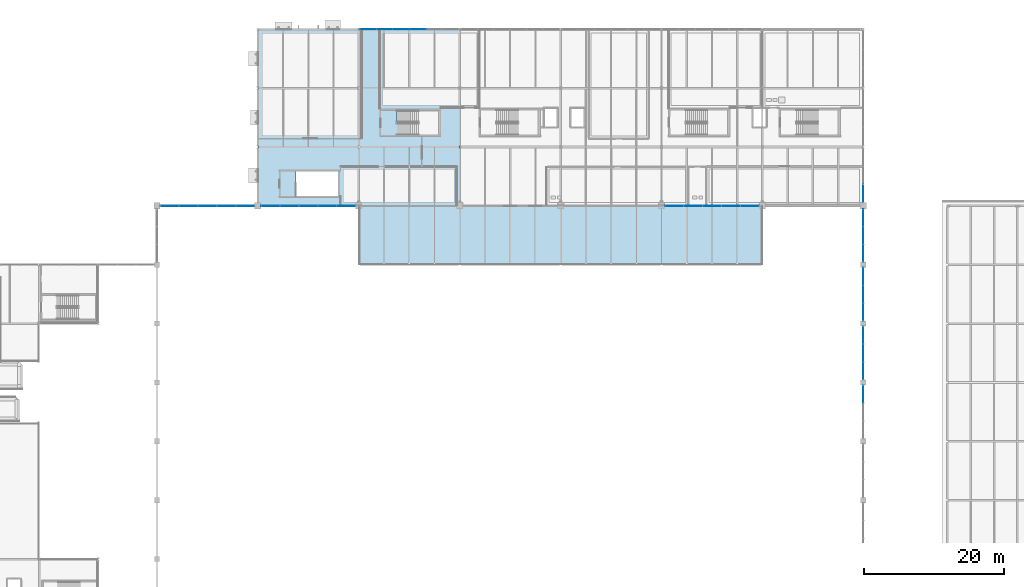
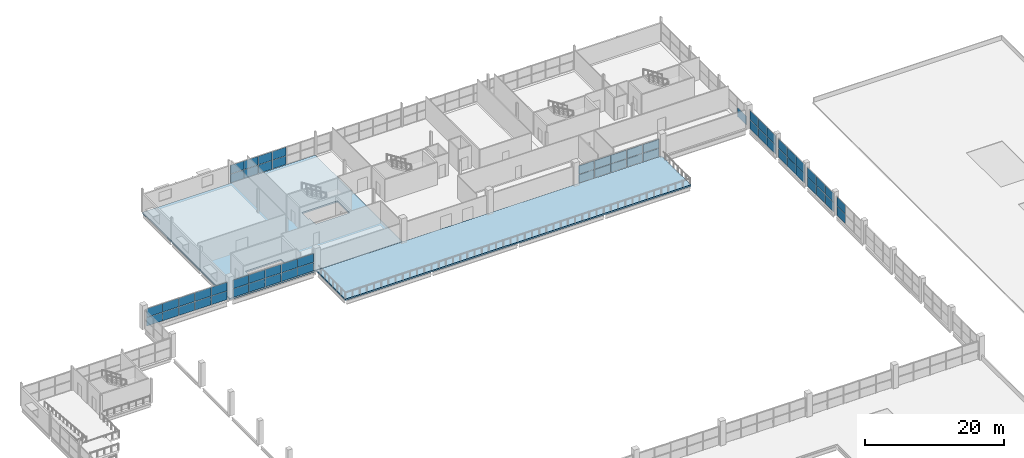
# One storey, part 72 of 93: 59 plates, 2 slabs, 9 elements without a shape of their own.
"""IFC4 building model written with IfcOpenShell, lengths in metres."""

from ifc_helpers import new_model, si_unit, direction, frame, origin, origin_2d, place, context, subcontext, project, spatial, polyline, rectangle, outline, extrude, material, layer, layer_set, type_object, element, aggregate, save


model = new_model("IFC4")

# Units and contexts
model_context = context("Model", 3, precision=1e-05, world=origin(), true_north=direction((0.0, 1.0)))
body_context = subcontext(model_context, "Body", "Model", "MODEL_VIEW")
ifc_project = project(units=[si_unit("LENGTHUNIT", "METRE"), si_unit("AREAUNIT", "SQUARE_METRE"), si_unit("VOLUMEUNIT", "CUBIC_METRE"), si_unit("PLANEANGLEUNIT", "RADIAN"), si_unit("MASSUNIT", "GRAM", prefix="KILO"), si_unit("THERMODYNAMICTEMPERATUREUNIT", "KELVIN")], contexts=[model_context])

# Site, building, storey
site_placement = place(None, origin())
site = spatial("IfcSite", under=ifc_project, at=site_placement, CompositionType="ELEMENT")
building_placement = place(site_placement, origin())
building = spatial("IfcBuilding", under=site, at=building_placement, Name="Nduvali Passage Aquatics Centre", CompositionType="ELEMENT")
storey_placement = place(building_placement, frame((0.0, 0.0, 9.0)))
storey = spatial("IfcBuildingStorey", under=building, at=storey_placement, Name="L02", CompositionType="ELEMENT", Elevation=9.0)

# Curtain wall, plates
ifc_material_1 = material(Name="Aluminium EN AW-6063 T6", Category="aluminium")
curtain_wall_type_1 = type_object("IfcCurtainWallType", Name="ENV-CW-WELL", PredefinedType="NOTDEFINED", material=ifc_material_1)
curtain_wall_1_placement = place(storey_placement, origin())
curtain_wall_1 = element("IfcCurtainWall", 1, at=curtain_wall_1_placement, inside=storey, type_object=curtain_wall_type_1, Name="L02 North Avenue Clinic CW 101", PredefinedType="NOTDEFINED")
ifc_material_2 = material(Name="Laminated solar-control low-E IGU")
ifc_layer_1 = layer(ifc_material_2, 0.028076171875, Name="Laminated solar-control low-E IGU")
ifc_layer_set_1 = layer_set([ifc_layer_1], Name="Laminated solar-control low-E IGU")
plate_type_1 = type_object("IfcPlateType", Name="ENV-PLT-GLZ28", PredefinedType="CURTAIN_PANEL", material=ifc_layer_set_1)
plate_1_placement = place(storey_placement, frame((55.340087890625, 117.60009765625, 0.059814453125), z_axis=(0.0, 0.0, 1.0), x_axis=(1.0, 0.0, 0.0)))
plate_1 = element("IfcPlate", 2, at=plate_1_placement, type_object=plate_type_1, Name="North Avenue Clinic CW Glazed Panel B1-R1", PredefinedType="CURTAIN_PANEL", context=body_context, shape_type="SweptSolid", body=[
    extrude(rectangle(XDim=2.260009765625, YDim=0.028076171875, at=origin_2d()), origin(), (0.0, 0.0, 1.0), 1.501953125),
])
plate_2_placement = place(storey_placement, frame((55.340087890625, 117.60009765625, 1.621826171875), z_axis=(0.0, 0.0, 1.0), x_axis=(1.0, 0.0, 0.0)))
plate_2 = element("IfcPlate", 3, at=plate_2_placement, type_object=plate_type_1, Name="North Avenue Clinic CW Glazed Panel B1-R2", PredefinedType="CURTAIN_PANEL", context=body_context, shape_type="SweptSolid", body=[
    extrude(rectangle(XDim=2.260009765625, YDim=0.028076171875, at=origin_2d()), origin(), (0.0, 0.0, 1.0), 1.501953125),
])
plate_3_placement = place(storey_placement, frame((57.675048828125, 117.60009765625, 0.059814453125), z_axis=(0.0, 0.0, 1.0), x_axis=(1.0, 0.0, 0.0)))
plate_3 = element("IfcPlate", 4, at=plate_3_placement, type_object=plate_type_1, Name="North Avenue Clinic CW Glazed Panel B2-R1", PredefinedType="CURTAIN_PANEL", context=body_context, shape_type="SweptSolid", body=[
    extrude(rectangle(XDim=2.2900390625, YDim=0.028076171875, at=origin_2d()), origin(), (0.0, 0.0, 1.0), 1.501953125),
])
plate_4_placement = place(storey_placement, frame((57.675048828125, 117.60009765625, 1.621826171875), z_axis=(0.0, 0.0, 1.0), x_axis=(1.0, 0.0, 0.0)))
plate_4 = element("IfcPlate", 5, at=plate_4_placement, type_object=plate_type_1, Name="North Avenue Clinic CW Glazed Panel B2-R2", PredefinedType="CURTAIN_PANEL", context=body_context, shape_type="SweptSolid", body=[
    extrude(rectangle(XDim=2.2900390625, YDim=0.028076171875, at=origin_2d()), origin(), (0.0, 0.0, 1.0), 1.501953125),
])
plate_5_placement = place(storey_placement, frame((60.02490234375, 117.60009765625, 0.059814453125), z_axis=(0.0, 0.0, 1.0), x_axis=(1.0, 0.0, 0.0)))
plate_5 = element("IfcPlate", 6, at=plate_5_placement, type_object=plate_type_1, Name="North Avenue Clinic CW Glazed Panel B3-R1", PredefinedType="CURTAIN_PANEL", context=body_context, shape_type="SweptSolid", body=[
    extrude(rectangle(XDim=2.2900390625, YDim=0.028076171875, at=origin_2d()), origin(), (0.0, 0.0, 1.0), 1.501953125),
])
plate_6_placement = place(storey_placement, frame((60.02490234375, 117.60009765625, 1.621826171875), z_axis=(0.0, 0.0, 1.0), x_axis=(1.0, 0.0, 0.0)))
plate_6 = element("IfcPlate", 7, at=plate_6_placement, type_object=plate_type_1, Name="North Avenue Clinic CW Glazed Panel B3-R2", PredefinedType="CURTAIN_PANEL", context=body_context, shape_type="SweptSolid", body=[
    extrude(rectangle(XDim=2.2900390625, YDim=0.028076171875, at=origin_2d()), origin(), (0.0, 0.0, 1.0), 1.501953125),
])
plate_7_placement = place(storey_placement, frame((62.375, 117.60009765625, 0.059814453125), z_axis=(0.0, 0.0, 1.0), x_axis=(1.0, 0.0, 0.0)))
plate_7 = element("IfcPlate", 8, at=plate_7_placement, type_object=plate_type_1, Name="North Avenue Clinic CW Glazed Panel B4-R1", PredefinedType="CURTAIN_PANEL", context=body_context, shape_type="SweptSolid", body=[
    extrude(rectangle(XDim=2.2900390625, YDim=0.028076171875, at=origin_2d()), origin(), (0.0, 0.0, 1.0), 1.501953125),
])
plate_8_placement = place(storey_placement, frame((62.375, 117.60009765625, 1.621826171875), z_axis=(0.0, 0.0, 1.0), x_axis=(1.0, 0.0, 0.0)))
plate_8 = element("IfcPlate", 9, at=plate_8_placement, type_object=plate_type_1, Name="North Avenue Clinic CW Glazed Panel B4-R2", PredefinedType="CURTAIN_PANEL", context=body_context, shape_type="SweptSolid", body=[
    extrude(rectangle(XDim=2.2900390625, YDim=0.028076171875, at=origin_2d()), origin(), (0.0, 0.0, 1.0), 1.501953125),
])
aggregate(curtain_wall_1, [plate_1, plate_2, plate_3, plate_4, plate_5, plate_6, plate_7, plate_8])

# Curtain wall, plate
curtain_wall_type_2 = type_object("IfcCurtainWallType", Name="ENV-CW-PASS", PredefinedType="NOTDEFINED", material=ifc_material_1)
curtain_wall_2_placement = place(storey_placement, origin())
curtain_wall_2 = element("IfcCurtainWall", 10, at=curtain_wall_2_placement, inside=storey, type_object=curtain_wall_type_2, Name="L02 East Passage Studio CW 118", PredefinedType="NOTDEFINED")
plate_9_placement = place(storey_placement, frame((126.0, 94.160888671875, 0.06005859375), z_axis=(0.0, 0.0, 1.0), x_axis=(0.0, 1.0, 0.0)))
plate_9 = element("IfcPlate", 11, at=plate_9_placement, type_object=plate_type_1, Name="East Passage Studio CW Glazed Panel B1-R1", PredefinedType="CURTAIN_PANEL", context=body_context, shape_type="SweptSolid", body=[
    extrude(rectangle(XDim=2.501708984375, YDim=0.028076171875, at=origin_2d()), origin(), (0.0, 0.0, 1.0), 1.61328125),
])
aggregate(curtain_wall_2, [plate_9])

# Curtain wall, plates
curtain_wall_type_3 = type_object("IfcCurtainWallType", Name="ENV-CW-CLER", PredefinedType="NOTDEFINED", material=ifc_material_1)
curtain_wall_3_placement = place(storey_placement, origin())
curtain_wall_3 = element("IfcCurtainWall", 12, at=curtain_wall_3_placement, inside=storey, type_object=curtain_wall_type_3, Name="L02 East Passage Pool Hall Mid Clerestory 031", PredefinedType="NOTDEFINED")
ifc_layer_2 = layer(ifc_material_2, 0.031982421875, Name="Laminated solar-control low-E IGU")
ifc_layer_set_2 = layer_set([ifc_layer_2], Name="Laminated solar-control low-E IGU")
plate_type_2 = type_object("IfcPlateType", Name="ENV-PLT-GLZ32", PredefinedType="CURTAIN_PANEL", material=ifc_layer_set_2)
plate_10_placement = place(storey_placement, frame((126.0, 65.534912109375, 0.06005859375), z_axis=(0.0, 0.0, 1.0), x_axis=(0.0, 1.0, 0.0)))
plate_10 = element("IfcPlate", 13, at=plate_10_placement, type_object=plate_type_2, Name="East Passage Pool Hall Mid Clerestory Glazed Panel B3-R1", PredefinedType="CURTAIN_PANEL", context=body_context, shape_type="SweptSolid", body=[
    extrude(rectangle(XDim=2.4599609375, YDim=0.031982421875, at=origin_2d()), origin(), (0.0, 0.0, 1.0), 1.61328125),
])
plate_11_placement = place(storey_placement, frame((126.0, 65.534912109375, 1.733154296875), z_axis=(0.0, 0.0, 1.0), x_axis=(0.0, 1.0, 0.0)))
plate_11 = element("IfcPlate", 14, at=plate_11_placement, type_object=plate_type_2, Name="East Passage Pool Hall Mid Clerestory Glazed Panel B3-R2", PredefinedType="CURTAIN_PANEL", context=body_context, shape_type="SweptSolid", body=[
    extrude(rectangle(XDim=2.4599609375, YDim=0.031982421875, at=origin_2d()), origin(), (0.0, 0.0, 1.0), 1.61328125),
])
aggregate(curtain_wall_3, [plate_10, plate_11])

curtain_wall_4_placement = place(storey_placement, origin())
curtain_wall_4 = element("IfcCurtainWall", 15, at=curtain_wall_4_placement, inside=storey, type_object=curtain_wall_type_3, Name="L02 East Passage Pool Hall Mid Clerestory 035", PredefinedType="NOTDEFINED")
plate_12_placement = place(storey_placement, frame((126.0, 68.864990234375, 0.06005859375), z_axis=(0.0, 0.0, 1.0), x_axis=(0.0, 1.0, 0.0)))
plate_12 = element("IfcPlate", 16, at=plate_12_placement, type_object=plate_type_2, Name="East Passage Pool Hall Mid Clerestory Glazed Panel B1-R1", PredefinedType="CURTAIN_PANEL", context=body_context, shape_type="SweptSolid", body=[
    extrude(rectangle(XDim=2.4599609375, YDim=0.031982421875, at=origin_2d()), origin(), (0.0, 0.0, 1.0), 1.61328125),
])
plate_13_placement = place(storey_placement, frame((126.0, 68.864990234375, 1.733154296875), z_axis=(0.0, 0.0, 1.0), x_axis=(0.0, 1.0, 0.0)))
plate_13 = element("IfcPlate", 17, at=plate_13_placement, type_object=plate_type_2, Name="East Passage Pool Hall Mid Clerestory Glazed Panel B1-R2", PredefinedType="CURTAIN_PANEL", context=body_context, shape_type="SweptSolid", body=[
    extrude(rectangle(XDim=2.4599609375, YDim=0.031982421875, at=origin_2d()), origin(), (0.0, 0.0, 1.0), 1.61328125),
])
plate_14_placement = place(storey_placement, frame((126.0, 71.39990234375, 0.06005859375), z_axis=(0.0, 0.0, 1.0), x_axis=(0.0, 1.0, 0.0)))
plate_14 = element("IfcPlate", 18, at=plate_14_placement, type_object=plate_type_2, Name="East Passage Pool Hall Mid Clerestory Glazed Panel B2-R1", PredefinedType="CURTAIN_PANEL", context=body_context, shape_type="SweptSolid", body=[
    extrude(rectangle(XDim=2.489990234375, YDim=0.031982421875, at=origin_2d()), origin(), (0.0, 0.0, 1.0), 1.61328125),
])
plate_15_placement = place(storey_placement, frame((126.0, 71.39990234375, 1.733154296875), z_axis=(0.0, 0.0, 1.0), x_axis=(0.0, 1.0, 0.0)))
plate_15 = element("IfcPlate", 19, at=plate_15_placement, type_object=plate_type_2, Name="East Passage Pool Hall Mid Clerestory Glazed Panel B2-R2", PredefinedType="CURTAIN_PANEL", context=body_context, shape_type="SweptSolid", body=[
    extrude(rectangle(XDim=2.489990234375, YDim=0.031982421875, at=origin_2d()), origin(), (0.0, 0.0, 1.0), 1.61328125),
])
plate_16_placement = place(storey_placement, frame((126.0, 73.93505859375, 0.06005859375), z_axis=(0.0, 0.0, 1.0), x_axis=(0.0, 1.0, 0.0)))
plate_16 = element("IfcPlate", 20, at=plate_16_placement, type_object=plate_type_2, Name="East Passage Pool Hall Mid Clerestory Glazed Panel B3-R1", PredefinedType="CURTAIN_PANEL", context=body_context, shape_type="SweptSolid", body=[
    extrude(rectangle(XDim=2.4599609375, YDim=0.031982421875, at=origin_2d()), origin(), (0.0, 0.0, 1.0), 1.61328125),
])
plate_17_placement = place(storey_placement, frame((126.0, 73.93505859375, 1.733154296875), z_axis=(0.0, 0.0, 1.0), x_axis=(0.0, 1.0, 0.0)))
plate_17 = element("IfcPlate", 21, at=plate_17_placement, type_object=plate_type_2, Name="East Passage Pool Hall Mid Clerestory Glazed Panel B3-R2", PredefinedType="CURTAIN_PANEL", context=body_context, shape_type="SweptSolid", body=[
    extrude(rectangle(XDim=2.4599609375, YDim=0.031982421875, at=origin_2d()), origin(), (0.0, 0.0, 1.0), 1.61328125),
])
aggregate(curtain_wall_4, [plate_12, plate_13, plate_14, plate_15, plate_16, plate_17])

curtain_wall_5_placement = place(storey_placement, origin())
curtain_wall_5 = element("IfcCurtainWall", 22, at=curtain_wall_5_placement, inside=storey, type_object=curtain_wall_type_3, Name="L02 East Passage Pool Hall Mid Clerestory 039", PredefinedType="NOTDEFINED")
plate_18_placement = place(storey_placement, frame((126.0, 77.264892578125, 0.06005859375), z_axis=(0.0, 0.0, 1.0), x_axis=(0.0, 1.0, 0.0)))
plate_18 = element("IfcPlate", 23, at=plate_18_placement, type_object=plate_type_2, Name="East Passage Pool Hall Mid Clerestory Glazed Panel B1-R1", PredefinedType="CURTAIN_PANEL", context=body_context, shape_type="SweptSolid", body=[
    extrude(rectangle(XDim=2.4599609375, YDim=0.031982421875, at=origin_2d()), origin(), (0.0, 0.0, 1.0), 1.61328125),
])
plate_19_placement = place(storey_placement, frame((126.0, 77.264892578125, 1.733154296875), z_axis=(0.0, 0.0, 1.0), x_axis=(0.0, 1.0, 0.0)))
plate_19 = element("IfcPlate", 24, at=plate_19_placement, type_object=plate_type_2, Name="East Passage Pool Hall Mid Clerestory Glazed Panel B1-R2", PredefinedType="CURTAIN_PANEL", context=body_context, shape_type="SweptSolid", body=[
    extrude(rectangle(XDim=2.4599609375, YDim=0.031982421875, at=origin_2d()), origin(), (0.0, 0.0, 1.0), 1.61328125),
])
plate_20_placement = place(storey_placement, frame((126.0, 79.800048828125, 0.06005859375), z_axis=(0.0, 0.0, 1.0), x_axis=(0.0, 1.0, 0.0)))
plate_20 = element("IfcPlate", 25, at=plate_20_placement, type_object=plate_type_2, Name="East Passage Pool Hall Mid Clerestory Glazed Panel B2-R1", PredefinedType="CURTAIN_PANEL", context=body_context, shape_type="SweptSolid", body=[
    extrude(rectangle(XDim=2.489990234375, YDim=0.031982421875, at=origin_2d()), origin(), (0.0, 0.0, 1.0), 1.61328125),
])
plate_21_placement = place(storey_placement, frame((126.0, 79.800048828125, 1.733154296875), z_axis=(0.0, 0.0, 1.0), x_axis=(0.0, 1.0, 0.0)))
plate_21 = element("IfcPlate", 26, at=plate_21_placement, type_object=plate_type_2, Name="East Passage Pool Hall Mid Clerestory Glazed Panel B2-R2", PredefinedType="CURTAIN_PANEL", context=body_context, shape_type="SweptSolid", body=[
    extrude(rectangle(XDim=2.489990234375, YDim=0.031982421875, at=origin_2d()), origin(), (0.0, 0.0, 1.0), 1.61328125),
])
plate_22_placement = place(storey_placement, frame((126.0, 82.3349609375, 0.06005859375), z_axis=(0.0, 0.0, 1.0), x_axis=(0.0, 1.0, 0.0)))
plate_22 = element("IfcPlate", 27, at=plate_22_placement, type_object=plate_type_2, Name="East Passage Pool Hall Mid Clerestory Glazed Panel B3-R1", PredefinedType="CURTAIN_PANEL", context=body_context, shape_type="SweptSolid", body=[
    extrude(rectangle(XDim=2.4599609375, YDim=0.031982421875, at=origin_2d()), origin(), (0.0, 0.0, 1.0), 1.61328125),
])
plate_23_placement = place(storey_placement, frame((126.0, 82.3349609375, 1.733154296875), z_axis=(0.0, 0.0, 1.0), x_axis=(0.0, 1.0, 0.0)))
plate_23 = element("IfcPlate", 28, at=plate_23_placement, type_object=plate_type_2, Name="East Passage Pool Hall Mid Clerestory Glazed Panel B3-R2", PredefinedType="CURTAIN_PANEL", context=body_context, shape_type="SweptSolid", body=[
    extrude(rectangle(XDim=2.4599609375, YDim=0.031982421875, at=origin_2d()), origin(), (0.0, 0.0, 1.0), 1.61328125),
])
aggregate(curtain_wall_5, [plate_18, plate_19, plate_20, plate_21, plate_22, plate_23])

curtain_wall_6_placement = place(storey_placement, origin())
curtain_wall_6 = element("IfcCurtainWall", 29, at=curtain_wall_6_placement, inside=storey, type_object=curtain_wall_type_3, Name="L02 East Passage Pool Hall Mid Clerestory 042", PredefinedType="NOTDEFINED")
plate_24_placement = place(storey_placement, frame((126.0, 85.652587890625, 0.06005859375), z_axis=(0.0, 0.0, 1.0), x_axis=(0.0, 1.0, 0.0)))
plate_24 = element("IfcPlate", 30, at=plate_24_placement, type_object=plate_type_2, Name="East Passage Pool Hall Mid Clerestory Glazed Panel B1-R1", PredefinedType="CURTAIN_PANEL", context=body_context, shape_type="SweptSolid", body=[
    extrude(rectangle(XDim=2.43505859375, YDim=0.031982421875, at=origin_2d()), origin(), (0.0, 0.0, 1.0), 1.61328125),
])
plate_25_placement = place(storey_placement, frame((126.0, 85.652587890625, 1.733154296875), z_axis=(0.0, 0.0, 1.0), x_axis=(0.0, 1.0, 0.0)))
plate_25 = element("IfcPlate", 31, at=plate_25_placement, type_object=plate_type_2, Name="East Passage Pool Hall Mid Clerestory Glazed Panel B1-R2", PredefinedType="CURTAIN_PANEL", context=body_context, shape_type="SweptSolid", body=[
    extrude(rectangle(XDim=2.43505859375, YDim=0.031982421875, at=origin_2d()), origin(), (0.0, 0.0, 1.0), 1.61328125),
])
plate_26_placement = place(storey_placement, frame((126.0, 88.16259765625, 0.06005859375), z_axis=(0.0, 0.0, 1.0), x_axis=(0.0, 1.0, 0.0)))
plate_26 = element("IfcPlate", 32, at=plate_26_placement, type_object=plate_type_2, Name="East Passage Pool Hall Mid Clerestory Glazed Panel B2-R1", PredefinedType="CURTAIN_PANEL", context=body_context, shape_type="SweptSolid", body=[
    extrude(rectangle(XDim=2.465087890625, YDim=0.031982421875, at=origin_2d()), origin(), (0.0, 0.0, 1.0), 1.61328125),
])
plate_27_placement = place(storey_placement, frame((126.0, 88.16259765625, 1.733154296875), z_axis=(0.0, 0.0, 1.0), x_axis=(0.0, 1.0, 0.0)))
plate_27 = element("IfcPlate", 33, at=plate_27_placement, type_object=plate_type_2, Name="East Passage Pool Hall Mid Clerestory Glazed Panel B2-R2", PredefinedType="CURTAIN_PANEL", context=body_context, shape_type="SweptSolid", body=[
    extrude(rectangle(XDim=2.465087890625, YDim=0.031982421875, at=origin_2d()), origin(), (0.0, 0.0, 1.0), 1.61328125),
])
plate_28_placement = place(storey_placement, frame((126.0, 90.672607421875, 0.06005859375), z_axis=(0.0, 0.0, 1.0), x_axis=(0.0, 1.0, 0.0)))
plate_28 = element("IfcPlate", 34, at=plate_28_placement, type_object=plate_type_2, Name="East Passage Pool Hall Mid Clerestory Glazed Panel B3-R1", PredefinedType="CURTAIN_PANEL", context=body_context, shape_type="SweptSolid", body=[
    extrude(rectangle(XDim=2.43505859375, YDim=0.031982421875, at=origin_2d()), origin(), (0.0, 0.0, 1.0), 1.61328125),
])
plate_29_placement = place(storey_placement, frame((126.0, 90.672607421875, 1.733154296875), z_axis=(0.0, 0.0, 1.0), x_axis=(0.0, 1.0, 0.0)))
plate_29 = element("IfcPlate", 35, at=plate_29_placement, type_object=plate_type_2, Name="East Passage Pool Hall Mid Clerestory Glazed Panel B3-R2", PredefinedType="CURTAIN_PANEL", context=body_context, shape_type="SweptSolid", body=[
    extrude(rectangle(XDim=2.43505859375, YDim=0.031982421875, at=origin_2d()), origin(), (0.0, 0.0, 1.0), 1.61328125),
])
aggregate(curtain_wall_6, [plate_24, plate_25, plate_26, plate_27, plate_28, plate_29])

curtain_wall_7_placement = place(storey_placement, origin())
curtain_wall_7 = element("IfcCurtainWall", 36, at=curtain_wall_7_placement, inside=storey, type_object=curtain_wall_type_3, Name="L02 North Pool Hall Corner Clerestory 055", PredefinedType="NOTDEFINED")
plate_30_placement = place(storey_placement, frame((27.014892578125, 92.39990234375, 0.059814453125), z_axis=(0.0, 0.0, 1.0), x_axis=(1.0, 0.0, 0.0)))
plate_30 = element("IfcPlate", 37, at=plate_30_placement, type_object=plate_type_2, Name="North Pool Hall Corner Clerestory Glazed Panel B1-R1", PredefinedType="CURTAIN_PANEL", context=body_context, shape_type="SweptSolid", body=[
    extrude(rectangle(XDim=2.610107421875, YDim=0.031982421875, at=origin_2d()), origin(), (0.0, 0.0, 1.0), 1.501953125),
])
plate_31_placement = place(storey_placement, frame((27.014892578125, 92.39990234375, 1.621826171875), z_axis=(0.0, 0.0, 1.0), x_axis=(1.0, 0.0, 0.0)))
plate_31 = element("IfcPlate", 38, at=plate_31_placement, type_object=plate_type_2, Name="North Pool Hall Corner Clerestory Glazed Panel B1-R2", PredefinedType="CURTAIN_PANEL", context=body_context, shape_type="SweptSolid", body=[
    extrude(rectangle(XDim=2.610107421875, YDim=0.031982421875, at=origin_2d()), origin(), (0.0, 0.0, 1.0), 1.501953125),
])
plate_32_placement = place(storey_placement, frame((29.699951171875, 92.39990234375, 0.059814453125), z_axis=(0.0, 0.0, 1.0), x_axis=(1.0, 0.0, 0.0)))
plate_32 = element("IfcPlate", 39, at=plate_32_placement, type_object=plate_type_2, Name="North Pool Hall Corner Clerestory Glazed Panel B2-R1", PredefinedType="CURTAIN_PANEL", context=body_context, shape_type="SweptSolid", body=[
    extrude(rectangle(XDim=2.639892578125, YDim=0.031982421875, at=origin_2d()), origin(), (0.0, 0.0, 1.0), 1.501953125),
])
plate_33_placement = place(storey_placement, frame((29.699951171875, 92.39990234375, 1.621826171875), z_axis=(0.0, 0.0, 1.0), x_axis=(1.0, 0.0, 0.0)))
plate_33 = element("IfcPlate", 40, at=plate_33_placement, type_object=plate_type_2, Name="North Pool Hall Corner Clerestory Glazed Panel B2-R2", PredefinedType="CURTAIN_PANEL", context=body_context, shape_type="SweptSolid", body=[
    extrude(rectangle(XDim=2.639892578125, YDim=0.031982421875, at=origin_2d()), origin(), (0.0, 0.0, 1.0), 1.501953125),
])
plate_34_placement = place(storey_placement, frame((32.39990234375, 92.39990234375, 0.059814453125), z_axis=(0.0, 0.0, 1.0), x_axis=(1.0, 0.0, 0.0)))
plate_34 = element("IfcPlate", 41, at=plate_34_placement, type_object=plate_type_2, Name="North Pool Hall Corner Clerestory Glazed Panel B3-R1", PredefinedType="CURTAIN_PANEL", context=body_context, shape_type="SweptSolid", body=[
    extrude(rectangle(XDim=2.639892578125, YDim=0.031982421875, at=origin_2d()), origin(), (0.0, 0.0, 1.0), 1.501953125),
])
plate_35_placement = place(storey_placement, frame((32.39990234375, 92.39990234375, 1.621826171875), z_axis=(0.0, 0.0, 1.0), x_axis=(1.0, 0.0, 0.0)))
plate_35 = element("IfcPlate", 42, at=plate_35_placement, type_object=plate_type_2, Name="North Pool Hall Corner Clerestory Glazed Panel B3-R2", PredefinedType="CURTAIN_PANEL", context=body_context, shape_type="SweptSolid", body=[
    extrude(rectangle(XDim=2.639892578125, YDim=0.031982421875, at=origin_2d()), origin(), (0.0, 0.0, 1.0), 1.501953125),
])
plate_36_placement = place(storey_placement, frame((35.10009765625, 92.39990234375, 0.059814453125), z_axis=(0.0, 0.0, 1.0), x_axis=(1.0, 0.0, 0.0)))
plate_36 = element("IfcPlate", 43, at=plate_36_placement, type_object=plate_type_2, Name="North Pool Hall Corner Clerestory Glazed Panel B4-R1", PredefinedType="CURTAIN_PANEL", context=body_context, shape_type="SweptSolid", body=[
    extrude(rectangle(XDim=2.639892578125, YDim=0.031982421875, at=origin_2d()), origin(), (0.0, 0.0, 1.0), 1.501953125),
])
plate_37_placement = place(storey_placement, frame((35.10009765625, 92.39990234375, 1.621826171875), z_axis=(0.0, 0.0, 1.0), x_axis=(1.0, 0.0, 0.0)))
plate_37 = element("IfcPlate", 44, at=plate_37_placement, type_object=plate_type_2, Name="North Pool Hall Corner Clerestory Glazed Panel B4-R2", PredefinedType="CURTAIN_PANEL", context=body_context, shape_type="SweptSolid", body=[
    extrude(rectangle(XDim=2.639892578125, YDim=0.031982421875, at=origin_2d()), origin(), (0.0, 0.0, 1.0), 1.501953125),
])
plate_38_placement = place(storey_placement, frame((37.784912109375, 92.39990234375, 0.059814453125), z_axis=(0.0, 0.0, 1.0), x_axis=(1.0, 0.0, 0.0)))
plate_38 = element("IfcPlate", 45, at=plate_38_placement, type_object=plate_type_2, Name="North Pool Hall Corner Clerestory Glazed Panel B5-R1", PredefinedType="CURTAIN_PANEL", context=body_context, shape_type="SweptSolid", body=[
    extrude(rectangle(XDim=2.610107421875, YDim=0.031982421875, at=origin_2d()), origin(), (0.0, 0.0, 1.0), 1.501953125),
])
plate_39_placement = place(storey_placement, frame((37.784912109375, 92.39990234375, 1.621826171875), z_axis=(0.0, 0.0, 1.0), x_axis=(1.0, 0.0, 0.0)))
plate_39 = element("IfcPlate", 46, at=plate_39_placement, type_object=plate_type_2, Name="North Pool Hall Corner Clerestory Glazed Panel B5-R2", PredefinedType="CURTAIN_PANEL", context=body_context, shape_type="SweptSolid", body=[
    extrude(rectangle(XDim=2.610107421875, YDim=0.031982421875, at=origin_2d()), origin(), (0.0, 0.0, 1.0), 1.501953125),
])
aggregate(curtain_wall_7, [plate_30, plate_31, plate_32, plate_33, plate_34, plate_35, plate_36, plate_37, plate_38, plate_39])

curtain_wall_8_placement = place(storey_placement, origin())
curtain_wall_8 = element("IfcCurtainWall", 47, at=curtain_wall_8_placement, inside=storey, type_object=curtain_wall_type_3, Name="L02 North Pool Hall Pool Overlook CW 059", PredefinedType="NOTDEFINED")
plate_40_placement = place(storey_placement, frame((41.4150390625, 92.39990234375, 0.059814453125), z_axis=(0.0, 0.0, 1.0), x_axis=(1.0, 0.0, 0.0)))
plate_40 = element("IfcPlate", 48, at=plate_40_placement, type_object=plate_type_2, Name="North Pool Hall Pool Overlook CW Glazed Panel B1-R1", PredefinedType="CURTAIN_PANEL", context=body_context, shape_type="SweptSolid", body=[
    extrude(rectangle(XDim=2.610107421875, YDim=0.031982421875, at=origin_2d()), origin(), (0.0, 0.0, 1.0), 1.501953125),
])
plate_41_placement = place(storey_placement, frame((41.4150390625, 92.39990234375, 1.621826171875), z_axis=(0.0, 0.0, 1.0), x_axis=(1.0, 0.0, 0.0)))
plate_41 = element("IfcPlate", 49, at=plate_41_placement, type_object=plate_type_2, Name="North Pool Hall Pool Overlook CW Glazed Panel B1-R2", PredefinedType="CURTAIN_PANEL", context=body_context, shape_type="SweptSolid", body=[
    extrude(rectangle(XDim=2.610107421875, YDim=0.031982421875, at=origin_2d()), origin(), (0.0, 0.0, 1.0), 1.501953125),
])
plate_42_placement = place(storey_placement, frame((44.10009765625, 92.39990234375, 0.059814453125), z_axis=(0.0, 0.0, 1.0), x_axis=(1.0, 0.0, 0.0)))
plate_42 = element("IfcPlate", 50, at=plate_42_placement, type_object=plate_type_2, Name="North Pool Hall Pool Overlook CW Glazed Panel B2-R1", PredefinedType="CURTAIN_PANEL", context=body_context, shape_type="SweptSolid", body=[
    extrude(rectangle(XDim=2.639892578125, YDim=0.031982421875, at=origin_2d()), origin(), (0.0, 0.0, 1.0), 1.501953125),
])
plate_43_placement = place(storey_placement, frame((44.10009765625, 92.39990234375, 1.621826171875), z_axis=(0.0, 0.0, 1.0), x_axis=(1.0, 0.0, 0.0)))
plate_43 = element("IfcPlate", 51, at=plate_43_placement, type_object=plate_type_2, Name="North Pool Hall Pool Overlook CW Glazed Panel B2-R2", PredefinedType="CURTAIN_PANEL", context=body_context, shape_type="SweptSolid", body=[
    extrude(rectangle(XDim=2.639892578125, YDim=0.031982421875, at=origin_2d()), origin(), (0.0, 0.0, 1.0), 1.501953125),
])
plate_44_placement = place(storey_placement, frame((46.800048828125, 92.39990234375, 0.059814453125), z_axis=(0.0, 0.0, 1.0), x_axis=(1.0, 0.0, 0.0)))
plate_44 = element("IfcPlate", 52, at=plate_44_placement, type_object=plate_type_2, Name="North Pool Hall Pool Overlook CW Glazed Panel B3-R1", PredefinedType="CURTAIN_PANEL", context=body_context, shape_type="SweptSolid", body=[
    extrude(rectangle(XDim=2.639892578125, YDim=0.031982421875, at=origin_2d()), origin(), (0.0, 0.0, 1.0), 1.501953125),
])
plate_45_placement = place(storey_placement, frame((46.800048828125, 92.39990234375, 1.621826171875), z_axis=(0.0, 0.0, 1.0), x_axis=(1.0, 0.0, 0.0)))
plate_45 = element("IfcPlate", 53, at=plate_45_placement, type_object=plate_type_2, Name="North Pool Hall Pool Overlook CW Glazed Panel B3-R2", PredefinedType="CURTAIN_PANEL", context=body_context, shape_type="SweptSolid", body=[
    extrude(rectangle(XDim=2.639892578125, YDim=0.031982421875, at=origin_2d()), origin(), (0.0, 0.0, 1.0), 1.501953125),
])
plate_46_placement = place(storey_placement, frame((49.5, 92.39990234375, 0.059814453125), z_axis=(0.0, 0.0, 1.0), x_axis=(1.0, 0.0, 0.0)))
plate_46 = element("IfcPlate", 54, at=plate_46_placement, type_object=plate_type_2, Name="North Pool Hall Pool Overlook CW Glazed Panel B4-R1", PredefinedType="CURTAIN_PANEL", context=body_context, shape_type="SweptSolid", body=[
    extrude(rectangle(XDim=2.639892578125, YDim=0.031982421875, at=origin_2d()), origin(), (0.0, 0.0, 1.0), 1.501953125),
])
plate_47_placement = place(storey_placement, frame((49.5, 92.39990234375, 1.621826171875), z_axis=(0.0, 0.0, 1.0), x_axis=(1.0, 0.0, 0.0)))
plate_47 = element("IfcPlate", 55, at=plate_47_placement, type_object=plate_type_2, Name="North Pool Hall Pool Overlook CW Glazed Panel B4-R2", PredefinedType="CURTAIN_PANEL", context=body_context, shape_type="SweptSolid", body=[
    extrude(rectangle(XDim=2.639892578125, YDim=0.031982421875, at=origin_2d()), origin(), (0.0, 0.0, 1.0), 1.501953125),
])
plate_48_placement = place(storey_placement, frame((52.18505859375, 92.39990234375, 0.059814453125), z_axis=(0.0, 0.0, 1.0), x_axis=(1.0, 0.0, 0.0)))
plate_48 = element("IfcPlate", 56, at=plate_48_placement, type_object=plate_type_2, Name="North Pool Hall Pool Overlook CW Glazed Panel B5-R1", PredefinedType="CURTAIN_PANEL", context=body_context, shape_type="SweptSolid", body=[
    extrude(rectangle(XDim=2.610107421875, YDim=0.031982421875, at=origin_2d()), origin(), (0.0, 0.0, 1.0), 1.501953125),
])
plate_49_placement = place(storey_placement, frame((52.18505859375, 92.39990234375, 1.621826171875), z_axis=(0.0, 0.0, 1.0), x_axis=(1.0, 0.0, 0.0)))
plate_49 = element("IfcPlate", 57, at=plate_49_placement, type_object=plate_type_2, Name="North Pool Hall Pool Overlook CW Glazed Panel B5-R2", PredefinedType="CURTAIN_PANEL", context=body_context, shape_type="SweptSolid", body=[
    extrude(rectangle(XDim=2.610107421875, YDim=0.031982421875, at=origin_2d()), origin(), (0.0, 0.0, 1.0), 1.501953125),
])
aggregate(curtain_wall_8, [plate_40, plate_41, plate_42, plate_43, plate_44, plate_45, plate_46, plate_47, plate_48, plate_49])

curtain_wall_9_placement = place(storey_placement, origin())
curtain_wall_9 = element("IfcCurtainWall", 58, at=curtain_wall_9_placement, inside=storey, type_object=curtain_wall_type_3, Name="L02 North Pool Hall Pool Overlook CW 066", PredefinedType="NOTDEFINED")
plate_50_placement = place(storey_placement, frame((99.014892578125, 92.39990234375, 0.059814453125), z_axis=(0.0, 0.0, 1.0), x_axis=(1.0, 0.0, 0.0)))
plate_50 = element("IfcPlate", 59, at=plate_50_placement, type_object=plate_type_2, Name="North Pool Hall Pool Overlook CW Glazed Panel B1-R1", PredefinedType="CURTAIN_PANEL", context=body_context, shape_type="SweptSolid", body=[
    extrude(rectangle(XDim=2.610107421875, YDim=0.031982421875, at=origin_2d()), origin(), (0.0, 0.0, 1.0), 1.501953125),
])
plate_51_placement = place(storey_placement, frame((99.014892578125, 92.39990234375, 1.621826171875), z_axis=(0.0, 0.0, 1.0), x_axis=(1.0, 0.0, 0.0)))
plate_51 = element("IfcPlate", 60, at=plate_51_placement, type_object=plate_type_2, Name="North Pool Hall Pool Overlook CW Glazed Panel B1-R2", PredefinedType="CURTAIN_PANEL", context=body_context, shape_type="SweptSolid", body=[
    extrude(rectangle(XDim=2.610107421875, YDim=0.031982421875, at=origin_2d()), origin(), (0.0, 0.0, 1.0), 1.501953125),
])
plate_52_placement = place(storey_placement, frame((101.699951171875, 92.39990234375, 0.059814453125), z_axis=(0.0, 0.0, 1.0), x_axis=(1.0, 0.0, 0.0)))
plate_52 = element("IfcPlate", 61, at=plate_52_placement, type_object=plate_type_2, Name="North Pool Hall Pool Overlook CW Glazed Panel B2-R1", PredefinedType="CURTAIN_PANEL", context=body_context, shape_type="SweptSolid", body=[
    extrude(rectangle(XDim=2.639892578125, YDim=0.031982421875, at=origin_2d()), origin(), (0.0, 0.0, 1.0), 1.501953125),
])
plate_53_placement = place(storey_placement, frame((101.699951171875, 92.39990234375, 1.621826171875), z_axis=(0.0, 0.0, 1.0), x_axis=(1.0, 0.0, 0.0)))
plate_53 = element("IfcPlate", 62, at=plate_53_placement, type_object=plate_type_2, Name="North Pool Hall Pool Overlook CW Glazed Panel B2-R2", PredefinedType="CURTAIN_PANEL", context=body_context, shape_type="SweptSolid", body=[
    extrude(rectangle(XDim=2.639892578125, YDim=0.031982421875, at=origin_2d()), origin(), (0.0, 0.0, 1.0), 1.501953125),
])
plate_54_placement = place(storey_placement, frame((104.39990234375, 92.39990234375, 0.059814453125), z_axis=(0.0, 0.0, 1.0), x_axis=(1.0, 0.0, 0.0)))
plate_54 = element("IfcPlate", 63, at=plate_54_placement, type_object=plate_type_2, Name="North Pool Hall Pool Overlook CW Glazed Panel B3-R1", PredefinedType="CURTAIN_PANEL", context=body_context, shape_type="SweptSolid", body=[
    extrude(rectangle(XDim=2.639892578125, YDim=0.031982421875, at=origin_2d()), origin(), (0.0, 0.0, 1.0), 1.501953125),
])
plate_55_placement = place(storey_placement, frame((104.39990234375, 92.39990234375, 1.621826171875), z_axis=(0.0, 0.0, 1.0), x_axis=(1.0, 0.0, 0.0)))
plate_55 = element("IfcPlate", 64, at=plate_55_placement, type_object=plate_type_2, Name="North Pool Hall Pool Overlook CW Glazed Panel B3-R2", PredefinedType="CURTAIN_PANEL", context=body_context, shape_type="SweptSolid", body=[
    extrude(rectangle(XDim=2.639892578125, YDim=0.031982421875, at=origin_2d()), origin(), (0.0, 0.0, 1.0), 1.501953125),
])
plate_56_placement = place(storey_placement, frame((107.10009765625, 92.39990234375, 0.059814453125), z_axis=(0.0, 0.0, 1.0), x_axis=(1.0, 0.0, 0.0)))
plate_56 = element("IfcPlate", 65, at=plate_56_placement, type_object=plate_type_2, Name="North Pool Hall Pool Overlook CW Glazed Panel B4-R1", PredefinedType="CURTAIN_PANEL", context=body_context, shape_type="SweptSolid", body=[
    extrude(rectangle(XDim=2.639892578125, YDim=0.031982421875, at=origin_2d()), origin(), (0.0, 0.0, 1.0), 1.501953125),
])
plate_57_placement = place(storey_placement, frame((107.10009765625, 92.39990234375, 1.621826171875), z_axis=(0.0, 0.0, 1.0), x_axis=(1.0, 0.0, 0.0)))
plate_57 = element("IfcPlate", 66, at=plate_57_placement, type_object=plate_type_2, Name="North Pool Hall Pool Overlook CW Glazed Panel B4-R2", PredefinedType="CURTAIN_PANEL", context=body_context, shape_type="SweptSolid", body=[
    extrude(rectangle(XDim=2.639892578125, YDim=0.031982421875, at=origin_2d()), origin(), (0.0, 0.0, 1.0), 1.501953125),
])
plate_58_placement = place(storey_placement, frame((109.784912109375, 92.39990234375, 0.059814453125), z_axis=(0.0, 0.0, 1.0), x_axis=(1.0, 0.0, 0.0)))
plate_58 = element("IfcPlate", 67, at=plate_58_placement, type_object=plate_type_2, Name="North Pool Hall Pool Overlook CW Glazed Panel B5-R1", PredefinedType="CURTAIN_PANEL", context=body_context, shape_type="SweptSolid", body=[
    extrude(rectangle(XDim=2.610107421875, YDim=0.031982421875, at=origin_2d()), origin(), (0.0, 0.0, 1.0), 1.501953125),
])
plate_59_placement = place(storey_placement, frame((109.784912109375, 92.39990234375, 1.621826171875), z_axis=(0.0, 0.0, 1.0), x_axis=(1.0, 0.0, 0.0)))
plate_59 = element("IfcPlate", 68, at=plate_59_placement, type_object=plate_type_2, Name="North Pool Hall Pool Overlook CW Glazed Panel B5-R2", PredefinedType="CURTAIN_PANEL", context=body_context, shape_type="SweptSolid", body=[
    extrude(rectangle(XDim=2.610107421875, YDim=0.031982421875, at=origin_2d()), origin(), (0.0, 0.0, 1.0), 1.501953125),
])
aggregate(curtain_wall_9, [plate_50, plate_51, plate_52, plate_53, plate_54, plate_55, plate_56, plate_57, plate_58, plate_59])

# Slabs
ifc_material_3 = material(Name="Concrete C40/50", Category="concrete")
ifc_layer_3 = layer(ifc_material_3, 0.260009765625, Name="Concrete C40/50")
ifc_layer_set_3 = layer_set([ifc_layer_3], Name="Concrete C40/50")
slab_type = type_object("IfcSlabType", Name="STR-SLB-FLR260", PredefinedType="FLOOR", material=ifc_layer_set_3)
slab_1_placement = place(storey_placement, frame((0.0, 0.0, -0.260009765625)))
element("IfcSlab", 69, at=slab_1_placement, inside=storey, type_object=slab_type, Name="L02 Pool Overlook Event and Media Gallery Slab", PredefinedType="FLOOR", context=body_context, shape_type="SweptSolid", body=[
    extrude(outline(polyline([(54.0, 84.0), (111.60009765625, 84.0), (111.60009765625, 92.39990234375), (54.0, 92.39990234375), (54.0, 84.0)])), origin(), (0.0, 0.0, 1.0), 0.260009765625),
])
slab_2_placement = place(storey_placement, frame((0.0, 0.0, -0.260009765625)))
element("IfcSlab", 70, at=slab_2_placement, inside=storey, type_object=slab_type, Name="L02 Sports Medicine Clinic and Exercise Studios Floor Slab 1", PredefinedType="FLOOR", context=body_context, shape_type="SweptSolid", body=[
    extrude(outline(polyline([(39.60009765625, 92.449951171875), (68.39990234375, 92.449951171875), (68.39990234375, 117.60009765625), (39.60009765625, 117.60009765625), (39.60009765625, 92.449951171875)]), holes=[polyline([(59.72998046875, 102.5), (65.39990234375, 102.5), (65.39990234375, 106.010009765625), (59.449951171875, 106.010009765625), (59.449951171875, 104.179931640625), (59.72998046875, 104.179931640625), (59.72998046875, 102.5)]), polyline([(45.050048828125, 93.800048828125), (51.0, 93.800048828125), (51.0, 97.31005859375), (45.050048828125, 97.31005859375), (45.050048828125, 93.800048828125)])]), origin(), (0.0, 0.0, 1.0), 0.260009765625),
])

save(model, "model.ifc")
